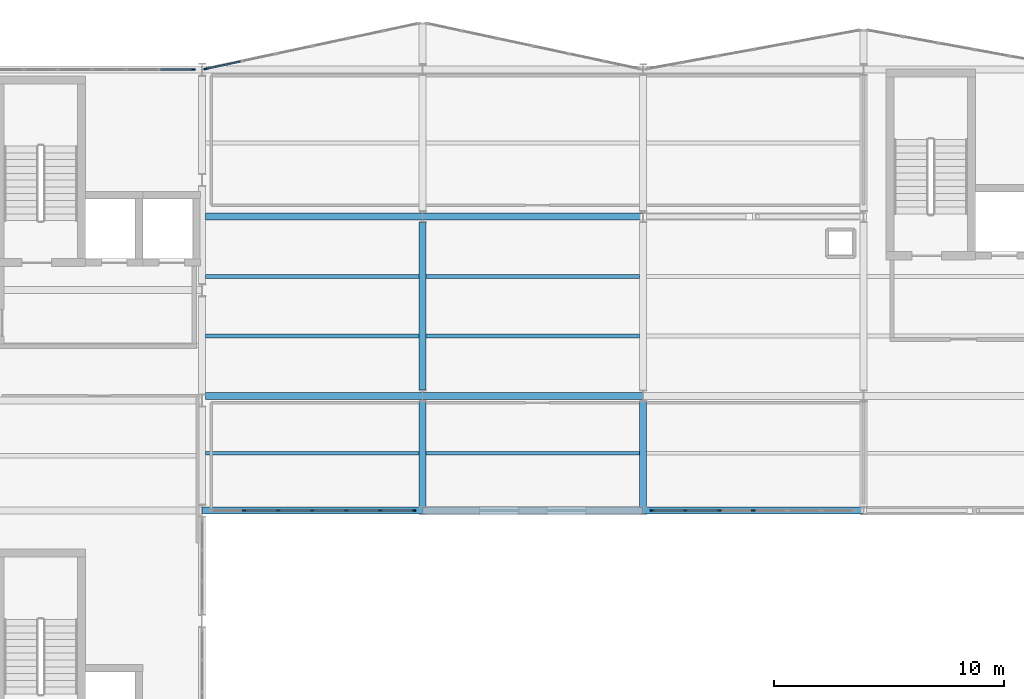
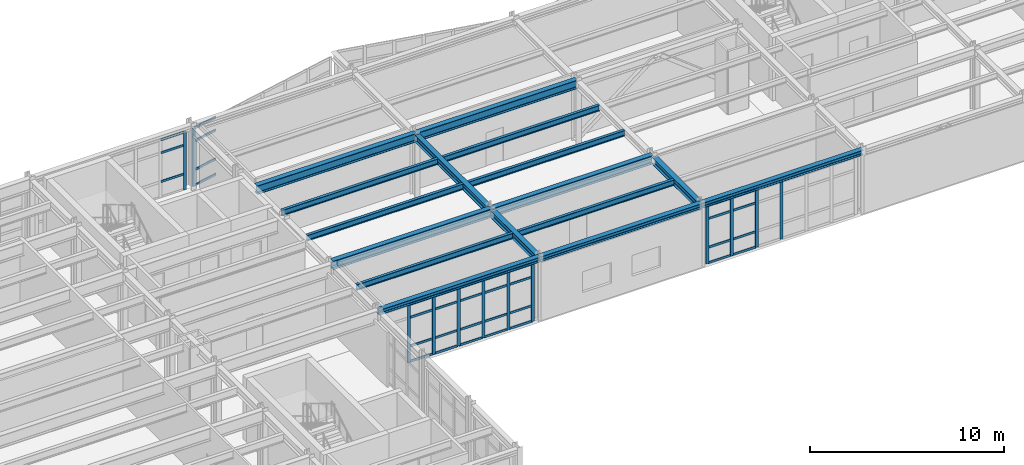
# One storey, part 29 of 64: 47 members, 16 beams, 4 elements without a shape of their own.
"""IFC4 building model written with IfcOpenShell, lengths in metres."""

from ifc_helpers import new_model, si_unit, direction, frame, origin, origin_2d, place, context, subcontext, project, spatial, rectangle, i_section, extrude, material, layer, layer_set, material_profile, profile_set, type_object, element, aggregate, save


model = new_model("IFC4")

# Units and contexts
model_context = context("Model", 3, precision=1e-05, world=origin(), true_north=direction((0.0, 1.0)))
body_context = subcontext(model_context, "Body", "Model", "MODEL_VIEW")
ifc_project = project(units=[si_unit("LENGTHUNIT", "METRE"), si_unit("AREAUNIT", "SQUARE_METRE"), si_unit("VOLUMEUNIT", "CUBIC_METRE"), si_unit("PLANEANGLEUNIT", "RADIAN"), si_unit("MASSUNIT", "GRAM", prefix="KILO")], contexts=[model_context])

# Site, building, storey
site_placement = place(None, origin())
site = spatial("IfcSite", under=ifc_project, at=site_placement, CompositionType="ELEMENT")
building_placement = place(site_placement, origin())
building = spatial("IfcBuilding", under=site, at=building_placement, Name="Nordkorset Police Headquarters", CompositionType="ELEMENT")
storey_placement = place(building_placement, frame((0.0, 0.0, 17.85009765625)))
storey = spatial("IfcBuildingStorey", under=building, at=storey_placement, Name="L04", CompositionType="ELEMENT", Elevation=17.85009765625)

# Beams
ifc_material_1 = material(Name="Steel S355J2", Category="steel")
ifc_material_profile_1 = material_profile(ifc_material_1, i_section(OverallWidth=0.169921875, OverallDepth=0.360107421875, WebThickness=0.008056640625, FlangeThickness=0.0126953125, FilletRadius=0.01806640625, at=origin_2d()), Name="IPE 360")
ifc_profile_set_1 = profile_set([ifc_material_profile_1], Name="Steel S355J2")
beam_type_1 = type_object("IfcBeamType", Name="Beam_IPE_360", PredefinedType="BEAM", material=ifc_profile_set_1)
for number, where, z_axis, x_axis, name in (
    (1, (28.949951171875, 100.10009765625, 3.804931640625), (1.0, 0.0, 0.0), (0.0, 1.0, 0.0), "Composite Floor Beam V2 L04 0-0-1"),
    (2, (28.949951171875, 105.199951171875, 3.809814453125), (1.0, 0.0, 0.0), (0.0, 1.0, 0.0), "Composite Floor Beam V2 L04 0-1-1"),
    (3, (28.949951171875, 107.800048828125, 3.809814453125), (1.0, 0.0, 0.0), (0.0, 1.0, 0.0), "Composite Floor Beam V2 L04 0-1-2"),
    (4, (38.550048828125, 100.10009765625, 3.804931640625), (1.0, 0.0, 0.0), (0.0, 1.0, 0.0), "Composite Floor Beam V2 L04 1-0-1"),
    (5, (38.550048828125, 105.199951171875, 3.809814453125), (1.0, 0.0, 0.0), (0.0, 1.0, 0.0), "Composite Floor Beam V2 L04 1-1-1"),
    (6, (38.550048828125, 107.800048828125, 3.809814453125), (1.0, 0.0, 0.0), (0.0, 1.0, 0.0), "Composite Floor Beam V2 L04 1-1-2"),
):
    element("IfcBeam", number, at=place(storey_placement, frame(where, z_axis=z_axis, x_axis=x_axis)), inside=storey, type_object=beam_type_1, Name=name, PredefinedType="BEAM", context=body_context, shape_type="SweptSolid", body=[
        extrude(i_section(OverallWidth=0.169921875, OverallDepth=0.360107421875, WebThickness=0.008056640625, FlangeThickness=0.0126953125, FilletRadius=0.01806640625, at=origin_2d()), origin(), (0.0, 0.0, 1.0), 9.300048828125),
    ])

# Curtain wall, member
ifc_material_2 = material(Name="Aluminium alloy AW-6060", Category="aluminium")
ifc_layer_1 = layer(ifc_material_2, 0.179931640625, Name="Aluminium alloy AW-6060")
ifc_layer_set_1 = layer_set([ifc_layer_1], Name="Aluminium alloy AW-6060")
curtain_wall_type_1 = type_object("IfcCurtainWallType", Name="CW_Unit_888x366", PredefinedType="USERDEFINED", material=ifc_layer_set_1)
curtain_wall_1_placement = place(storey_placement, origin())
curtain_wall_1 = element("IfcCurtainWall", 7, at=curtain_wall_1_placement, inside=storey, type_object=curtain_wall_type_1, Name="Unitised Curtain Wall L04 V1N-2", ObjectType="UNITISED CURTAIN WALL", PredefinedType="USERDEFINED")
ifc_material_3 = material(Name="Aluminium alloy AW-6060", Category="aluminium")
ifc_material_profile_2 = material_profile(ifc_material_3, rectangle(XDim=0.06494140625, YDim=0.179931640625, at=origin_2d()), Name="ALU MULL 65x180")
ifc_profile_set_2 = profile_set([ifc_material_profile_2], Name="Aluminium alloy AW-6060")
member_type_1 = type_object("IfcMemberType", Name="CW_Mullion_65x180", PredefinedType="MULLION", material=ifc_profile_set_2)
member_1_placement = place(storey_placement, frame((28.407470703125, 116.800048828125, 0.0), z_axis=(0.0, 0.0, 1.0), x_axis=(0.0, 1.0, 0.0)))
member_1 = element("IfcMember", 8, at=member_1_placement, type_object=member_type_1, Name="CW-19 mullion 7", PredefinedType="MULLION", context=body_context, shape_type="SweptSolid", body=[
    extrude(rectangle(XDim=0.06494140625, YDim=0.179931640625, at=origin_2d()), origin(), (0.0, 0.0, 1.0), 3.659912109375),
])

ifc_material_4 = material(Name="Aluminium alloy AW-6060", Category="aluminium")
ifc_layer_2 = layer(ifc_material_4, 0.179931640625, Name="Aluminium alloy AW-6060")
ifc_layer_set_2 = layer_set([ifc_layer_2], Name="Aluminium alloy AW-6060")
curtain_wall_type_2 = type_object("IfcCurtainWallType", Name="CW_Unit_954x366", PredefinedType="USERDEFINED", material=ifc_layer_set_2)
curtain_wall_2_placement = place(storey_placement, origin())
curtain_wall_2 = element("IfcCurtainWall", 9, at=curtain_wall_2_placement, inside=storey, type_object=curtain_wall_type_2, Name="Unitised Curtain Wall L04 V2N-0", ObjectType="UNITISED CURTAIN WALL", PredefinedType="USERDEFINED")
member_2_placement = place(storey_placement, frame((28.96875, 116.8359375, 0.0), z_axis=(0.0, 0.0, 1.0), x_axis=(-0.208832534289, 0.977951416289, 0.0)))
member_2 = element("IfcMember", 10, at=member_2_placement, type_object=member_type_1, Name="CW-110 mullion 1", PredefinedType="MULLION", context=body_context, shape_type="SweptSolid", body=[
    extrude(rectangle(XDim=0.06494140625, YDim=0.179931640625, at=origin_2d()), origin(), (0.0, 0.0, 1.0), 3.659912109375),
])

# Curtain wall, members
curtain_wall_3_placement = place(storey_placement, origin())
curtain_wall_3 = element("IfcCurtainWall", 11, at=curtain_wall_3_placement, inside=storey, type_object=curtain_wall_type_1, Name="Unitised Curtain Wall L04 V2S-0", ObjectType="UNITISED CURTAIN WALL", PredefinedType="USERDEFINED")
member_3_placement = place(storey_placement, frame((30.639892578125, 97.60009765625, 0.0), z_axis=(0.0, 0.0, 1.0), x_axis=(0.0, 1.0, 0.0)))
member_3 = element("IfcMember", 12, at=member_3_placement, type_object=member_type_1, Name="CW-19 mullion 2", PredefinedType="MULLION", context=body_context, shape_type="SweptSolid", body=[
    extrude(rectangle(XDim=0.06494140625, YDim=0.179931640625, at=origin_2d()), origin(), (0.0, 0.0, 1.0), 3.65478515625),
])
member_4_placement = place(storey_placement, frame((32.1201171875, 97.60009765625, 0.0), z_axis=(0.0, 0.0, 1.0), x_axis=(0.0, 1.0, 0.0)))
member_4 = element("IfcMember", 13, at=member_4_placement, type_object=member_type_1, Name="CW-19 mullion 3", PredefinedType="MULLION", context=body_context, shape_type="SweptSolid", body=[
    extrude(rectangle(XDim=0.06494140625, YDim=0.179931640625, at=origin_2d()), origin(), (0.0, 0.0, 1.0), 3.65478515625),
])
member_5_placement = place(storey_placement, frame((33.60009765625, 97.60009765625, 0.0), z_axis=(0.0, 0.0, 1.0), x_axis=(0.0, 1.0, 0.0)))
member_5 = element("IfcMember", 14, at=member_5_placement, type_object=member_type_1, Name="CW-19 mullion 4", PredefinedType="MULLION", context=body_context, shape_type="SweptSolid", body=[
    extrude(rectangle(XDim=0.06494140625, YDim=0.179931640625, at=origin_2d()), origin(), (0.0, 0.0, 1.0), 3.65478515625),
])
member_6_placement = place(storey_placement, frame((35.080078125, 97.60009765625, 0.0), z_axis=(0.0, 0.0, 1.0), x_axis=(0.0, 1.0, 0.0)))
member_6 = element("IfcMember", 15, at=member_6_placement, type_object=member_type_1, Name="CW-19 mullion 5", PredefinedType="MULLION", context=body_context, shape_type="SweptSolid", body=[
    extrude(rectangle(XDim=0.06494140625, YDim=0.179931640625, at=origin_2d()), origin(), (0.0, 0.0, 1.0), 3.65478515625),
])
member_7_placement = place(storey_placement, frame((36.56005859375, 97.60009765625, 0.0), z_axis=(0.0, 0.0, 1.0), x_axis=(0.0, 1.0, 0.0)))
member_7 = element("IfcMember", 16, at=member_7_placement, type_object=member_type_1, Name="CW-19 mullion 6", PredefinedType="MULLION", context=body_context, shape_type="SweptSolid", body=[
    extrude(rectangle(XDim=0.06494140625, YDim=0.179931640625, at=origin_2d()), origin(), (0.0, 0.0, 1.0), 3.65478515625),
])
member_8_placement = place(storey_placement, frame((38.007568359375, 97.60009765625, 0.0), z_axis=(0.0, 0.0, 1.0), x_axis=(0.0, 1.0, 0.0)))
member_8 = element("IfcMember", 17, at=member_8_placement, type_object=member_type_1, Name="CW-19 mullion 7", PredefinedType="MULLION", context=body_context, shape_type="SweptSolid", body=[
    extrude(rectangle(XDim=0.06494140625, YDim=0.179931640625, at=origin_2d()), origin(), (0.0, 0.0, 1.0), 3.65478515625),
])

curtain_wall_4_placement = place(storey_placement, origin())
curtain_wall_4 = element("IfcCurtainWall", 18, at=curtain_wall_4_placement, inside=storey, type_object=curtain_wall_type_1, Name="Unitised Curtain Wall L04 V2S-2", ObjectType="UNITISED CURTAIN WALL", PredefinedType="USERDEFINED")
member_9_placement = place(storey_placement, frame((48.392578125, 97.60009765625, 0.0), z_axis=(0.0, 0.0, 1.0), x_axis=(0.0, 1.0, 0.0)))
member_9 = element("IfcMember", 19, at=member_9_placement, type_object=member_type_1, Name="CW-19 mullion 1", PredefinedType="MULLION", context=body_context, shape_type="SweptSolid", body=[
    extrude(rectangle(XDim=0.06494140625, YDim=0.179931640625, at=origin_2d()), origin(), (0.0, 0.0, 1.0), 3.65478515625),
])
member_10_placement = place(storey_placement, frame((49.840087890625, 97.60009765625, 0.0), z_axis=(0.0, 0.0, 1.0), x_axis=(0.0, 1.0, 0.0)))
member_10 = element("IfcMember", 20, at=member_10_placement, type_object=member_type_1, Name="CW-19 mullion 2", PredefinedType="MULLION", context=body_context, shape_type="SweptSolid", body=[
    extrude(rectangle(XDim=0.06494140625, YDim=0.179931640625, at=origin_2d()), origin(), (0.0, 0.0, 1.0), 3.65478515625),
])
member_11_placement = place(storey_placement, frame((51.320068359375, 97.60009765625, 0.0), z_axis=(0.0, 0.0, 1.0), x_axis=(0.0, 1.0, 0.0)))
member_11 = element("IfcMember", 21, at=member_11_placement, type_object=member_type_1, Name="CW-19 mullion 3", PredefinedType="MULLION", context=body_context, shape_type="SweptSolid", body=[
    extrude(rectangle(XDim=0.06494140625, YDim=0.179931640625, at=origin_2d()), origin(), (0.0, 0.0, 1.0), 3.65478515625),
])
member_12_placement = place(storey_placement, frame((52.800048828125, 97.60009765625, 0.0), z_axis=(0.0, 0.0, 1.0), x_axis=(0.0, 1.0, 0.0)))
member_12 = element("IfcMember", 22, at=member_12_placement, type_object=member_type_1, Name="CW-19 mullion 4", PredefinedType="MULLION", context=body_context, shape_type="SweptSolid", body=[
    extrude(rectangle(XDim=0.06494140625, YDim=0.179931640625, at=origin_2d()), origin(), (0.0, 0.0, 1.0), 3.65478515625),
])

# Member
ifc_material_5 = material(Name="Aluminium alloy AW-6060", Category="aluminium")
ifc_material_profile_3 = material_profile(ifc_material_5, rectangle(XDim=0.06494140625, YDim=0.139892578125, at=origin_2d()), Name="ALU TRAN 65x140")
ifc_profile_set_3 = profile_set([ifc_material_profile_3], Name="Aluminium alloy AW-6060")
member_type_2 = type_object("IfcMemberType", Name="CW_Transom_65x140", PredefinedType="USERDEFINED", material=ifc_profile_set_3)
member_13_placement = place(storey_placement, frame((26.992431640625, 116.800048828125, 1.0), z_axis=(1.0, 0.0, 0.0), x_axis=(0.0, 1.0, 0.0)))
member_13 = element("IfcMember", 23, at=member_13_placement, type_object=member_type_2, Name="CW-19 transom 6.2", ObjectType="TRANSOM", PredefinedType="USERDEFINED", context=body_context, shape_type="SweptSolid", body=[
    extrude(rectangle(XDim=0.06494140625, YDim=0.139892578125, at=origin_2d()), origin(), (0.0, 0.0, 1.0), 1.382568359375),
])

member_14_placement = place(storey_placement, frame((26.992431640625, 116.800048828125, 2.809814453125), z_axis=(1.0, 0.0, 0.0), x_axis=(0.0, 1.0, 0.0)))
member_14 = element("IfcMember", 24, at=member_14_placement, type_object=member_type_2, Name="CW-19 transom 6.3", ObjectType="TRANSOM", PredefinedType="USERDEFINED", context=body_context, shape_type="SweptSolid", body=[
    extrude(rectangle(XDim=0.06494140625, YDim=0.139892578125, at=origin_2d()), origin(), (0.0, 0.0, 1.0), 1.382568359375),
])

member_15_placement = place(storey_placement, frame((26.992431640625, 116.800048828125, 3.62744140625), z_axis=(1.0, 0.0, 0.0), x_axis=(0.0, 1.0, 0.0)))
member_15 = element("IfcMember", 25, at=member_15_placement, type_object=member_type_2, Name="CW-19 transom 6.4", ObjectType="TRANSOM", PredefinedType="USERDEFINED", context=body_context, shape_type="SweptSolid", body=[
    extrude(rectangle(XDim=0.06494140625, YDim=0.139892578125, at=origin_2d()), origin(), (0.0, 0.0, 1.0), 1.382568359375),
])

aggregate(curtain_wall_1, [member_1, member_13, member_14, member_15])

member_16_placement = place(storey_placement, frame((29.00048828125, 116.8427734375, 0.032470703125), z_axis=(0.977955422008, 0.208813774846, 0.0), x_axis=(-0.208813774846, 0.977955422008, 0.0)))
member_16 = element("IfcMember", 26, at=member_16_placement, type_object=member_type_2, Name="CW-110 transom 1.1", ObjectType="TRANSOM", PredefinedType="USERDEFINED", context=body_context, shape_type="SweptSolid", body=[
    extrude(rectangle(XDim=0.06494140625, YDim=0.139892578125, at=origin_2d()), origin(), (0.0, 0.0, 1.0), 1.491943359375),
])

member_17_placement = place(storey_placement, frame((29.00048828125, 116.8427734375, 1.0), z_axis=(0.977955422008, 0.208813774846, 0.0), x_axis=(-0.208813774846, 0.977955422008, 0.0)))
member_17 = element("IfcMember", 27, at=member_17_placement, type_object=member_type_2, Name="CW-110 transom 1.2", ObjectType="TRANSOM", PredefinedType="USERDEFINED", context=body_context, shape_type="SweptSolid", body=[
    extrude(rectangle(XDim=0.06494140625, YDim=0.139892578125, at=origin_2d()), origin(), (0.0, 0.0, 1.0), 1.491943359375),
])

member_18_placement = place(storey_placement, frame((29.00048828125, 116.8427734375, 2.809814453125), z_axis=(0.977955422008, 0.208813774846, 0.0), x_axis=(-0.208813774846, 0.977955422008, 0.0)))
member_18 = element("IfcMember", 28, at=member_18_placement, type_object=member_type_2, Name="CW-110 transom 1.3", ObjectType="TRANSOM", PredefinedType="USERDEFINED", context=body_context, shape_type="SweptSolid", body=[
    extrude(rectangle(XDim=0.06494140625, YDim=0.139892578125, at=origin_2d()), origin(), (0.0, 0.0, 1.0), 1.491943359375),
])

member_19_placement = place(storey_placement, frame((29.00048828125, 116.8427734375, 3.62744140625), z_axis=(0.977955422008, 0.208813774846, 0.0), x_axis=(-0.208813774846, 0.977955422008, 0.0)))
member_19 = element("IfcMember", 29, at=member_19_placement, type_object=member_type_2, Name="CW-110 transom 1.4", ObjectType="TRANSOM", PredefinedType="USERDEFINED", context=body_context, shape_type="SweptSolid", body=[
    extrude(rectangle(XDim=0.06494140625, YDim=0.139892578125, at=origin_2d()), origin(), (0.0, 0.0, 1.0), 1.491943359375),
])

aggregate(curtain_wall_2, [member_2, member_16, member_17, member_18, member_19])

member_20_placement = place(storey_placement, frame((30.672607421875, 97.60009765625, 0.032470703125), z_axis=(1.0, 0.0, 0.0), x_axis=(0.0, 1.0, 0.0)))
member_20 = element("IfcMember", 30, at=member_20_placement, type_object=member_type_2, Name="CW-19 transom 2.1", ObjectType="TRANSOM", PredefinedType="USERDEFINED", context=body_context, shape_type="SweptSolid", body=[
    extrude(rectangle(XDim=0.06494140625, YDim=0.139892578125, at=origin_2d()), origin(), (0.0, 0.0, 1.0), 1.414794921875),
])

member_21_placement = place(storey_placement, frame((30.672607421875, 97.60009765625, 1.0), z_axis=(1.0, 0.0, 0.0), x_axis=(0.0, 1.0, 0.0)))
member_21 = element("IfcMember", 31, at=member_21_placement, type_object=member_type_2, Name="CW-19 transom 2.2", ObjectType="TRANSOM", PredefinedType="USERDEFINED", context=body_context, shape_type="SweptSolid", body=[
    extrude(rectangle(XDim=0.06494140625, YDim=0.139892578125, at=origin_2d()), origin(), (0.0, 0.0, 1.0), 1.414794921875),
])

member_22_placement = place(storey_placement, frame((30.672607421875, 97.60009765625, 2.804931640625), z_axis=(1.0, 0.0, 0.0), x_axis=(0.0, 1.0, 0.0)))
member_22 = element("IfcMember", 32, at=member_22_placement, type_object=member_type_2, Name="CW-19 transom 2.3", ObjectType="TRANSOM", PredefinedType="USERDEFINED", context=body_context, shape_type="SweptSolid", body=[
    extrude(rectangle(XDim=0.06494140625, YDim=0.139892578125, at=origin_2d()), origin(), (0.0, 0.0, 1.0), 1.414794921875),
])

member_23_placement = place(storey_placement, frame((30.672607421875, 97.60009765625, 3.622314453125), z_axis=(1.0, 0.0, 0.0), x_axis=(0.0, 1.0, 0.0)))
member_23 = element("IfcMember", 33, at=member_23_placement, type_object=member_type_2, Name="CW-19 transom 2.4", ObjectType="TRANSOM", PredefinedType="USERDEFINED", context=body_context, shape_type="SweptSolid", body=[
    extrude(rectangle(XDim=0.06494140625, YDim=0.139892578125, at=origin_2d()), origin(), (0.0, 0.0, 1.0), 1.414794921875),
])

member_24_placement = place(storey_placement, frame((32.152587890625, 97.60009765625, 0.032470703125), z_axis=(1.0, 0.0, 0.0), x_axis=(0.0, 1.0, 0.0)))
member_24 = element("IfcMember", 34, at=member_24_placement, type_object=member_type_2, Name="CW-19 transom 3.1", ObjectType="TRANSOM", PredefinedType="USERDEFINED", context=body_context, shape_type="SweptSolid", body=[
    extrude(rectangle(XDim=0.06494140625, YDim=0.139892578125, at=origin_2d()), origin(), (0.0, 0.0, 1.0), 1.414794921875),
])

member_25_placement = place(storey_placement, frame((32.152587890625, 97.60009765625, 1.0), z_axis=(1.0, 0.0, 0.0), x_axis=(0.0, 1.0, 0.0)))
member_25 = element("IfcMember", 35, at=member_25_placement, type_object=member_type_2, Name="CW-19 transom 3.2", ObjectType="TRANSOM", PredefinedType="USERDEFINED", context=body_context, shape_type="SweptSolid", body=[
    extrude(rectangle(XDim=0.06494140625, YDim=0.139892578125, at=origin_2d()), origin(), (0.0, 0.0, 1.0), 1.414794921875),
])

member_26_placement = place(storey_placement, frame((32.152587890625, 97.60009765625, 2.804931640625), z_axis=(1.0, 0.0, 0.0), x_axis=(0.0, 1.0, 0.0)))
member_26 = element("IfcMember", 36, at=member_26_placement, type_object=member_type_2, Name="CW-19 transom 3.3", ObjectType="TRANSOM", PredefinedType="USERDEFINED", context=body_context, shape_type="SweptSolid", body=[
    extrude(rectangle(XDim=0.06494140625, YDim=0.139892578125, at=origin_2d()), origin(), (0.0, 0.0, 1.0), 1.414794921875),
])

member_27_placement = place(storey_placement, frame((32.152587890625, 97.60009765625, 3.622314453125), z_axis=(1.0, 0.0, 0.0), x_axis=(0.0, 1.0, 0.0)))
member_27 = element("IfcMember", 37, at=member_27_placement, type_object=member_type_2, Name="CW-19 transom 3.4", ObjectType="TRANSOM", PredefinedType="USERDEFINED", context=body_context, shape_type="SweptSolid", body=[
    extrude(rectangle(XDim=0.06494140625, YDim=0.139892578125, at=origin_2d()), origin(), (0.0, 0.0, 1.0), 1.414794921875),
])

member_28_placement = place(storey_placement, frame((33.632568359375, 97.60009765625, 0.032470703125), z_axis=(1.0, 0.0, 0.0), x_axis=(0.0, 1.0, 0.0)))
member_28 = element("IfcMember", 38, at=member_28_placement, type_object=member_type_2, Name="CW-19 transom 4.1", ObjectType="TRANSOM", PredefinedType="USERDEFINED", context=body_context, shape_type="SweptSolid", body=[
    extrude(rectangle(XDim=0.06494140625, YDim=0.139892578125, at=origin_2d()), origin(), (0.0, 0.0, 1.0), 1.4150390625),
])

member_29_placement = place(storey_placement, frame((33.632568359375, 97.60009765625, 1.0), z_axis=(1.0, 0.0, 0.0), x_axis=(0.0, 1.0, 0.0)))
member_29 = element("IfcMember", 39, at=member_29_placement, type_object=member_type_2, Name="CW-19 transom 4.2", ObjectType="TRANSOM", PredefinedType="USERDEFINED", context=body_context, shape_type="SweptSolid", body=[
    extrude(rectangle(XDim=0.06494140625, YDim=0.139892578125, at=origin_2d()), origin(), (0.0, 0.0, 1.0), 1.4150390625),
])

member_30_placement = place(storey_placement, frame((33.632568359375, 97.60009765625, 2.804931640625), z_axis=(1.0, 0.0, 0.0), x_axis=(0.0, 1.0, 0.0)))
member_30 = element("IfcMember", 40, at=member_30_placement, type_object=member_type_2, Name="CW-19 transom 4.3", ObjectType="TRANSOM", PredefinedType="USERDEFINED", context=body_context, shape_type="SweptSolid", body=[
    extrude(rectangle(XDim=0.06494140625, YDim=0.139892578125, at=origin_2d()), origin(), (0.0, 0.0, 1.0), 1.4150390625),
])

member_31_placement = place(storey_placement, frame((33.632568359375, 97.60009765625, 3.622314453125), z_axis=(1.0, 0.0, 0.0), x_axis=(0.0, 1.0, 0.0)))
member_31 = element("IfcMember", 41, at=member_31_placement, type_object=member_type_2, Name="CW-19 transom 4.4", ObjectType="TRANSOM", PredefinedType="USERDEFINED", context=body_context, shape_type="SweptSolid", body=[
    extrude(rectangle(XDim=0.06494140625, YDim=0.139892578125, at=origin_2d()), origin(), (0.0, 0.0, 1.0), 1.4150390625),
])

member_32_placement = place(storey_placement, frame((35.112548828125, 97.60009765625, 0.032470703125), z_axis=(1.0, 0.0, 0.0), x_axis=(0.0, 1.0, 0.0)))
member_32 = element("IfcMember", 42, at=member_32_placement, type_object=member_type_2, Name="CW-19 transom 5.1", ObjectType="TRANSOM", PredefinedType="USERDEFINED", context=body_context, shape_type="SweptSolid", body=[
    extrude(rectangle(XDim=0.06494140625, YDim=0.139892578125, at=origin_2d()), origin(), (0.0, 0.0, 1.0), 1.4150390625),
])

member_33_placement = place(storey_placement, frame((35.112548828125, 97.60009765625, 1.0), z_axis=(1.0, 0.0, 0.0), x_axis=(0.0, 1.0, 0.0)))
member_33 = element("IfcMember", 43, at=member_33_placement, type_object=member_type_2, Name="CW-19 transom 5.2", ObjectType="TRANSOM", PredefinedType="USERDEFINED", context=body_context, shape_type="SweptSolid", body=[
    extrude(rectangle(XDim=0.06494140625, YDim=0.139892578125, at=origin_2d()), origin(), (0.0, 0.0, 1.0), 1.4150390625),
])

member_34_placement = place(storey_placement, frame((35.112548828125, 97.60009765625, 2.804931640625), z_axis=(1.0, 0.0, 0.0), x_axis=(0.0, 1.0, 0.0)))
member_34 = element("IfcMember", 44, at=member_34_placement, type_object=member_type_2, Name="CW-19 transom 5.3", ObjectType="TRANSOM", PredefinedType="USERDEFINED", context=body_context, shape_type="SweptSolid", body=[
    extrude(rectangle(XDim=0.06494140625, YDim=0.139892578125, at=origin_2d()), origin(), (0.0, 0.0, 1.0), 1.4150390625),
])

member_35_placement = place(storey_placement, frame((35.112548828125, 97.60009765625, 3.622314453125), z_axis=(1.0, 0.0, 0.0), x_axis=(0.0, 1.0, 0.0)))
member_35 = element("IfcMember", 45, at=member_35_placement, type_object=member_type_2, Name="CW-19 transom 5.4", ObjectType="TRANSOM", PredefinedType="USERDEFINED", context=body_context, shape_type="SweptSolid", body=[
    extrude(rectangle(XDim=0.06494140625, YDim=0.139892578125, at=origin_2d()), origin(), (0.0, 0.0, 1.0), 1.4150390625),
])

member_36_placement = place(storey_placement, frame((36.592529296875, 97.60009765625, 0.032470703125), z_axis=(1.0, 0.0, 0.0), x_axis=(0.0, 1.0, 0.0)))
member_36 = element("IfcMember", 46, at=member_36_placement, type_object=member_type_2, Name="CW-19 transom 6.1", ObjectType="TRANSOM", PredefinedType="USERDEFINED", context=body_context, shape_type="SweptSolid", body=[
    extrude(rectangle(XDim=0.06494140625, YDim=0.139892578125, at=origin_2d()), origin(), (0.0, 0.0, 1.0), 1.382568359375),
])

member_37_placement = place(storey_placement, frame((36.592529296875, 97.60009765625, 1.0), z_axis=(1.0, 0.0, 0.0), x_axis=(0.0, 1.0, 0.0)))
member_37 = element("IfcMember", 47, at=member_37_placement, type_object=member_type_2, Name="CW-19 transom 6.2", ObjectType="TRANSOM", PredefinedType="USERDEFINED", context=body_context, shape_type="SweptSolid", body=[
    extrude(rectangle(XDim=0.06494140625, YDim=0.139892578125, at=origin_2d()), origin(), (0.0, 0.0, 1.0), 1.382568359375),
])

member_38_placement = place(storey_placement, frame((36.592529296875, 97.60009765625, 2.804931640625), z_axis=(1.0, 0.0, 0.0), x_axis=(0.0, 1.0, 0.0)))
member_38 = element("IfcMember", 48, at=member_38_placement, type_object=member_type_2, Name="CW-19 transom 6.3", ObjectType="TRANSOM", PredefinedType="USERDEFINED", context=body_context, shape_type="SweptSolid", body=[
    extrude(rectangle(XDim=0.06494140625, YDim=0.139892578125, at=origin_2d()), origin(), (0.0, 0.0, 1.0), 1.382568359375),
])

member_39_placement = place(storey_placement, frame((36.592529296875, 97.60009765625, 3.622314453125), z_axis=(1.0, 0.0, 0.0), x_axis=(0.0, 1.0, 0.0)))
member_39 = element("IfcMember", 49, at=member_39_placement, type_object=member_type_2, Name="CW-19 transom 6.4", ObjectType="TRANSOM", PredefinedType="USERDEFINED", context=body_context, shape_type="SweptSolid", body=[
    extrude(rectangle(XDim=0.06494140625, YDim=0.139892578125, at=origin_2d()), origin(), (0.0, 0.0, 1.0), 1.382568359375),
])

aggregate(curtain_wall_3, [member_3, member_4, member_5, member_6, member_7, member_8, member_20, member_21, member_22, member_23, member_24, member_25, member_26, member_27, member_28, member_29, member_30, member_31, member_32, member_33, member_34, member_35, member_36, member_37, member_38, member_39])

member_40_placement = place(storey_placement, frame((48.425048828125, 97.60009765625, 0.032470703125), z_axis=(1.0, 0.0, 0.0), x_axis=(0.0, 1.0, 0.0)))
member_40 = element("IfcMember", 50, at=member_40_placement, type_object=member_type_2, Name="CW-19 transom 1.1", ObjectType="TRANSOM", PredefinedType="USERDEFINED", context=body_context, shape_type="SweptSolid", body=[
    extrude(rectangle(XDim=0.06494140625, YDim=0.139892578125, at=origin_2d()), origin(), (0.0, 0.0, 1.0), 1.382568359375),
])

member_41_placement = place(storey_placement, frame((48.425048828125, 97.60009765625, 1.0), z_axis=(1.0, 0.0, 0.0), x_axis=(0.0, 1.0, 0.0)))
member_41 = element("IfcMember", 51, at=member_41_placement, type_object=member_type_2, Name="CW-19 transom 1.2", ObjectType="TRANSOM", PredefinedType="USERDEFINED", context=body_context, shape_type="SweptSolid", body=[
    extrude(rectangle(XDim=0.06494140625, YDim=0.139892578125, at=origin_2d()), origin(), (0.0, 0.0, 1.0), 1.382568359375),
])

member_42_placement = place(storey_placement, frame((48.425048828125, 97.60009765625, 2.804931640625), z_axis=(1.0, 0.0, 0.0), x_axis=(0.0, 1.0, 0.0)))
member_42 = element("IfcMember", 52, at=member_42_placement, type_object=member_type_2, Name="CW-19 transom 1.3", ObjectType="TRANSOM", PredefinedType="USERDEFINED", context=body_context, shape_type="SweptSolid", body=[
    extrude(rectangle(XDim=0.06494140625, YDim=0.139892578125, at=origin_2d()), origin(), (0.0, 0.0, 1.0), 1.382568359375),
])

member_43_placement = place(storey_placement, frame((48.425048828125, 97.60009765625, 3.622314453125), z_axis=(1.0, 0.0, 0.0), x_axis=(0.0, 1.0, 0.0)))
member_43 = element("IfcMember", 53, at=member_43_placement, type_object=member_type_2, Name="CW-19 transom 1.4", ObjectType="TRANSOM", PredefinedType="USERDEFINED", context=body_context, shape_type="SweptSolid", body=[
    extrude(rectangle(XDim=0.06494140625, YDim=0.139892578125, at=origin_2d()), origin(), (0.0, 0.0, 1.0), 1.382568359375),
])

member_44_placement = place(storey_placement, frame((49.87255859375, 97.60009765625, 0.032470703125), z_axis=(1.0, 0.0, 0.0), x_axis=(0.0, 1.0, 0.0)))
member_44 = element("IfcMember", 54, at=member_44_placement, type_object=member_type_2, Name="CW-19 transom 2.1", ObjectType="TRANSOM", PredefinedType="USERDEFINED", context=body_context, shape_type="SweptSolid", body=[
    extrude(rectangle(XDim=0.06494140625, YDim=0.139892578125, at=origin_2d()), origin(), (0.0, 0.0, 1.0), 1.4150390625),
])

member_45_placement = place(storey_placement, frame((49.87255859375, 97.60009765625, 1.0), z_axis=(1.0, 0.0, 0.0), x_axis=(0.0, 1.0, 0.0)))
member_45 = element("IfcMember", 55, at=member_45_placement, type_object=member_type_2, Name="CW-19 transom 2.2", ObjectType="TRANSOM", PredefinedType="USERDEFINED", context=body_context, shape_type="SweptSolid", body=[
    extrude(rectangle(XDim=0.06494140625, YDim=0.139892578125, at=origin_2d()), origin(), (0.0, 0.0, 1.0), 1.4150390625),
])

member_46_placement = place(storey_placement, frame((49.87255859375, 97.60009765625, 2.804931640625), z_axis=(1.0, 0.0, 0.0), x_axis=(0.0, 1.0, 0.0)))
member_46 = element("IfcMember", 56, at=member_46_placement, type_object=member_type_2, Name="CW-19 transom 2.3", ObjectType="TRANSOM", PredefinedType="USERDEFINED", context=body_context, shape_type="SweptSolid", body=[
    extrude(rectangle(XDim=0.06494140625, YDim=0.139892578125, at=origin_2d()), origin(), (0.0, 0.0, 1.0), 1.4150390625),
])

member_47_placement = place(storey_placement, frame((49.87255859375, 97.60009765625, 3.622314453125), z_axis=(1.0, 0.0, 0.0), x_axis=(0.0, 1.0, 0.0)))
member_47 = element("IfcMember", 57, at=member_47_placement, type_object=member_type_2, Name="CW-19 transom 2.4", ObjectType="TRANSOM", PredefinedType="USERDEFINED", context=body_context, shape_type="SweptSolid", body=[
    extrude(rectangle(XDim=0.06494140625, YDim=0.139892578125, at=origin_2d()), origin(), (0.0, 0.0, 1.0), 1.4150390625),
])

aggregate(curtain_wall_4, [member_9, member_10, member_11, member_12, member_40, member_41, member_42, member_43, member_44, member_45, member_46, member_47])

# Beams
ifc_material_6 = material(Name="Steel S355J2", Category="steel")
ifc_material_profile_4 = material_profile(ifc_material_6, i_section(OverallWidth=0.300048828125, OverallDepth=0.43994140625, WebThickness=0.011474609375, FlangeThickness=0.02099609375, FilletRadius=0.027099609375, at=origin_2d()), Name="HEA 450")
ifc_profile_set_4 = profile_set([ifc_material_profile_4], Name="Steel S355J2")
beam_type_2 = type_object("IfcBeamType", Name="Girder_HEA_450", PredefinedType="USERDEFINED", material=ifc_profile_set_4)
beam_1_placement = place(storey_placement, frame((38.39990234375, 97.77001953125, 3.764892578125), z_axis=(0.0, 1.0, 0.0), x_axis=(-1.0, 0.0, 0.0)))
element("IfcBeam", 58, at=beam_1_placement, inside=storey, type_object=beam_type_2, Name="Girder V2 L04 GY-1-0", ObjectType="GIRDER", PredefinedType="USERDEFINED", context=body_context, shape_type="SweptSolid", body=[
    extrude(i_section(OverallWidth=0.300048828125, OverallDepth=0.43994140625, WebThickness=0.011474609375, FlangeThickness=0.02099609375, FilletRadius=0.027099609375, at=origin_2d()), origin(), (0.0, 0.0, 1.0), 4.580078125),
])
beam_2_placement = place(storey_placement, frame((38.39990234375, 102.85009765625, 3.77001953125), z_axis=(0.0, 1.0, 0.0), x_axis=(-1.0, 0.0, 0.0)))
element("IfcBeam", 59, at=beam_2_placement, inside=storey, type_object=beam_type_2, Name="Girder V2 L04 GY-1-1", ObjectType="GIRDER", PredefinedType="USERDEFINED", context=body_context, shape_type="SweptSolid", body=[
    extrude(i_section(OverallWidth=0.300048828125, OverallDepth=0.43994140625, WebThickness=0.011474609375, FlangeThickness=0.02099609375, FilletRadius=0.027099609375, at=origin_2d()), origin(), (0.0, 0.0, 1.0), 7.2998046875),
])
beam_3_placement = place(storey_placement, frame((48.0, 97.77001953125, 3.764892578125), z_axis=(0.0, 1.0, 0.0), x_axis=(-1.0, 0.0, 0.0)))
element("IfcBeam", 60, at=beam_3_placement, inside=storey, type_object=beam_type_2, Name="Girder V2 L04 GY-2-0", ObjectType="GIRDER", PredefinedType="USERDEFINED", context=body_context, shape_type="SweptSolid", body=[
    extrude(i_section(OverallWidth=0.300048828125, OverallDepth=0.43994140625, WebThickness=0.011474609375, FlangeThickness=0.02099609375, FilletRadius=0.027099609375, at=origin_2d()), origin(), (0.0, 0.0, 1.0), 4.580078125),
])
ifc_material_7 = material(Name="Steel S355J2", Category="steel")
ifc_material_profile_5 = material_profile(ifc_material_7, i_section(OverallWidth=0.300048828125, OverallDepth=0.5400390625, WebThickness=0.012451171875, FlangeThickness=0.02392578125, FilletRadius=0.027099609375, at=origin_2d()), Name="HEA 550")
ifc_profile_set_5 = profile_set([ifc_material_profile_5], Name="Steel S355J2")
beam_type_3 = type_object("IfcBeamType", Name="Girder_HEA_550", PredefinedType="USERDEFINED", material=ifc_profile_set_5)
beam_4_placement = place(storey_placement, frame((28.949951171875, 102.60009765625, 3.71484375), z_axis=(1.0, 0.0, 0.0), x_axis=(0.0, 1.0, 0.0)))
element("IfcBeam", 61, at=beam_4_placement, inside=storey, type_object=beam_type_3, Name="Girder V2 L04 GX-1-0", ObjectType="GIRDER", PredefinedType="USERDEFINED", context=body_context, shape_type="SweptSolid", body=[
    extrude(i_section(OverallWidth=0.300048828125, OverallDepth=0.5400390625, WebThickness=0.012451171875, FlangeThickness=0.02392578125, FilletRadius=0.027099609375, at=origin_2d()), origin(), (0.0, 0.0, 1.0), 9.442626953125),
])
beam_5_placement = place(storey_placement, frame((38.4072265625, 102.60009765625, 3.71484375), z_axis=(1.0, 0.0, 0.0), x_axis=(0.0, 1.0, 0.0)))
element("IfcBeam", 62, at=beam_5_placement, inside=storey, type_object=beam_type_3, Name="Girder V2 L04 GX-1-1", ObjectType="GIRDER", PredefinedType="USERDEFINED", context=body_context, shape_type="SweptSolid", body=[
    extrude(i_section(OverallWidth=0.300048828125, OverallDepth=0.5400390625, WebThickness=0.012451171875, FlangeThickness=0.02392578125, FilletRadius=0.027099609375, at=origin_2d()), origin(), (0.0, 0.0, 1.0), 9.58544921875),
])
beam_6_placement = place(storey_placement, frame((28.949951171875, 110.39990234375, 3.719970703125), z_axis=(1.0, 0.0, 0.0), x_axis=(0.0, 1.0, 0.0)))
element("IfcBeam", 63, at=beam_6_placement, inside=storey, type_object=beam_type_3, Name="Girder V2 L04 GX-2-0", ObjectType="GIRDER", PredefinedType="USERDEFINED", context=body_context, shape_type="SweptSolid", body=[
    extrude(i_section(OverallWidth=0.300048828125, OverallDepth=0.5400390625, WebThickness=0.012451171875, FlangeThickness=0.02392578125, FilletRadius=0.027099609375, at=origin_2d()), origin(), (0.0, 0.0, 1.0), 9.442626953125),
])
beam_7_placement = place(storey_placement, frame((38.4072265625, 110.39990234375, 3.719970703125), z_axis=(1.0, 0.0, 0.0), x_axis=(0.0, 1.0, 0.0)))
element("IfcBeam", 64, at=beam_7_placement, inside=storey, type_object=beam_type_3, Name="Girder V2 L04 GX-2-1", ObjectType="GIRDER", PredefinedType="USERDEFINED", context=body_context, shape_type="SweptSolid", body=[
    extrude(i_section(OverallWidth=0.300048828125, OverallDepth=0.5400390625, WebThickness=0.012451171875, FlangeThickness=0.02392578125, FilletRadius=0.027099609375, at=origin_2d()), origin(), (0.0, 0.0, 1.0), 9.58544921875),
])
ifc_material_8 = material(Name="Steel S355J2", Category="steel")
ifc_material_profile_6 = material_profile(ifc_material_8, i_section(OverallWidth=0.300048828125, OverallDepth=0.31005859375, WebThickness=0.009033203125, FlangeThickness=0.015380859375, FilletRadius=0.027099609375, at=origin_2d()), Name="HEA 320")
ifc_profile_set_6 = profile_set([ifc_material_profile_6], Name="Steel S355J2")
beam_type_4 = type_object("IfcBeamType", Name="Spandrel_HEA_320", PredefinedType="SPANDREL", material=ifc_profile_set_6)
beam_8_placement = place(storey_placement, frame((28.8076171875, 97.60009765625, 3.829833984375), z_axis=(1.0, 0.0, 0.0), x_axis=(0.0, 1.0, 0.0)))
element("IfcBeam", 65, at=beam_8_placement, inside=storey, type_object=beam_type_4, Name="Girder V2 L04 GX-0-0", PredefinedType="SPANDREL", context=body_context, shape_type="SweptSolid", body=[
    extrude(i_section(OverallWidth=0.300048828125, OverallDepth=0.31005859375, WebThickness=0.009033203125, FlangeThickness=0.015380859375, FilletRadius=0.027099609375, at=origin_2d()), origin(), (0.0, 0.0, 1.0), 9.58642578125),
])
for number, where, z_axis, x_axis, name in (
    (66, (38.406005859375, 97.60009765625, 3.829833984375), (1.0, 0.0, 0.0), (0.0, 1.0, 0.0), "Girder V2 L04 GX-0-1"),
    (67, (48.006103515625, 97.60009765625, 3.829833984375), (1.0, 0.0, 0.0), (0.0, 1.0, 0.0), "Girder V2 L04 GX-0-2"),
):
    element("IfcBeam", number, at=place(storey_placement, frame(where, z_axis=z_axis, x_axis=x_axis)), inside=storey, type_object=beam_type_4, Name=name, PredefinedType="SPANDREL", context=body_context, shape_type="SweptSolid", body=[
        extrude(i_section(OverallWidth=0.300048828125, OverallDepth=0.31005859375, WebThickness=0.009033203125, FlangeThickness=0.015380859375, FilletRadius=0.027099609375, at=origin_2d()), origin(), (0.0, 0.0, 1.0), 9.587890625),
    ])

save(model, "model.ifc")
